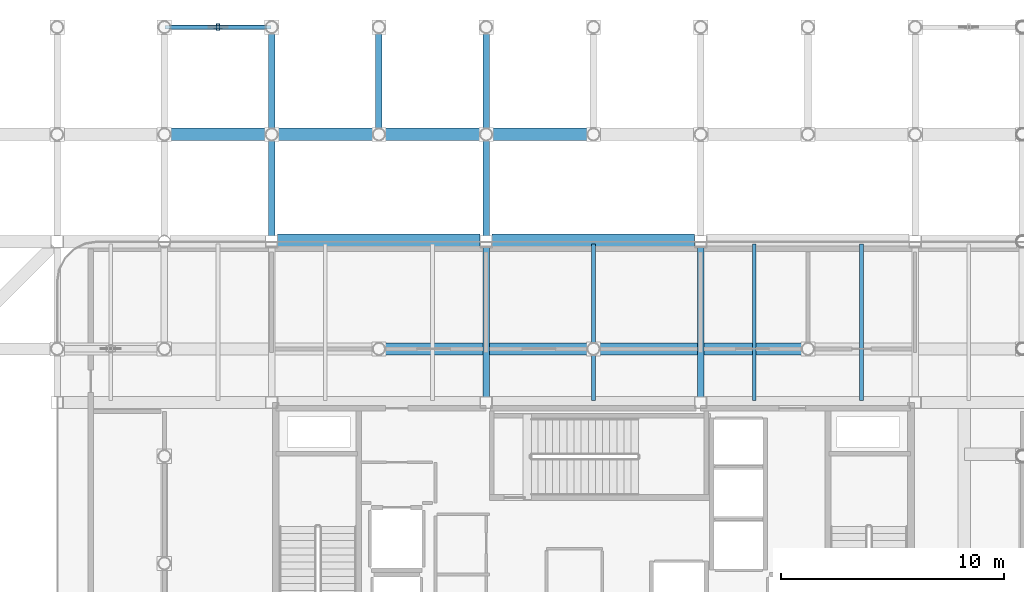
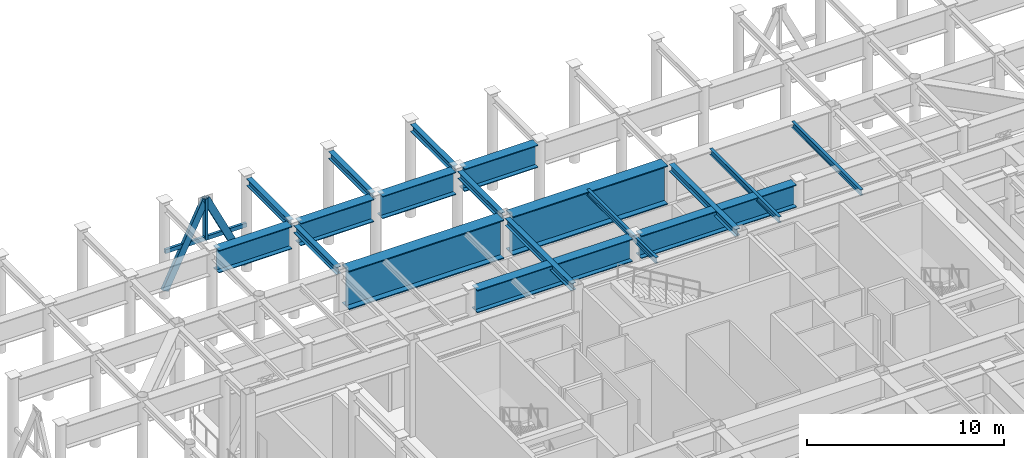
# One storey, part 9 of 20: 18 beams, 4 members.
"""IFC4 building model written with IfcOpenShell, lengths in metres."""

import ifcopenshell
import ifcopenshell.guid

model = None  # the IFC model being written
_history = None  # IfcOwnerHistory: only IFC2X3 demands one
_inside = {}  # id of a spatial element -> (the spatial element, [elements in it])
_under = {}  # id of a project, library or spatial element -> (it, [spatial elements below it])
_declared = {}  # id of a project -> (the project, [libraries it declares])
_typed = {}  # id of a type object -> (the type object, [elements of that type])
_made_of = {}  # id of a material, layer set ... -> (it, [elements and type objects made of it])


def new_model(schema):
    """Start an empty IFC model of exactly this schema.

    Asked for "IFC4X3", IfcOpenShell would pick the latest addendum, in which some entities
    have other attributes; the version numbers below select the first issue.
    IFC2X3 requires an IfcOwnerHistory on every rooted entity: one is made here for all.
    """
    global model, _history
    if schema == "IFC4X3":
        model = ifcopenshell.file(schema_version=(4, 3, 0, 0))
    else:
        model = ifcopenshell.file(schema=schema)
    _inside.clear()
    _under.clear()
    _declared.clear()
    _typed.clear()
    _made_of.clear()
    _history = None
    if model.schema == "IFC2X3":
        org = make("IfcOrganization", Name="unknown")
        user = make(
            "IfcPersonAndOrganization",
            ThePerson=make("IfcPerson", FamilyName="unknown"),
            TheOrganization=org,
        )
        app = make(
            "IfcApplication",
            ApplicationDeveloper=org,
            Version="unknown",
            ApplicationFullName="unknown",
            ApplicationIdentifier="unknown",
        )
        _history = make(
            "IfcOwnerHistory",
            OwningUser=user,
            OwningApplication=app,
            ChangeAction="ADDED",
            CreationDate=0,
        )
    return model


def make(cls, **values):
    """One entity of the class cls with the attributes given. An attribute that is None is left unset."""
    return model.create_entity(
        cls, **{name: value for name, value in values.items() if value is not None}
    )


def rooted(cls, **values):
    """An entity with a GlobalId (a new one), such as an element, a storey or a relation."""
    return make(cls, GlobalId=ifcopenshell.guid.new(), OwnerHistory=_history, **values)


def si_unit(unit_type, name, prefix=None):
    """IfcSIUnit, for example si_unit("LENGTHUNIT", "METRE", prefix="MILLI")."""
    return make("IfcSIUnit", UnitType=unit_type, Prefix=prefix, Name=name)


def assignment(units):
    """IfcUnitAssignment: the units of a project."""
    return None if units is None else make("IfcUnitAssignment", Units=units)


def point(xyz):
    """IfcCartesianPoint."""
    return None if xyz is None else make("IfcCartesianPoint", Coordinates=xyz)


def direction(xyz):
    """IfcDirection."""
    return None if xyz is None else make("IfcDirection", DirectionRatios=xyz)


def frame(location, z_axis=None, x_axis=None):
    """IfcAxis2Placement3D, a coordinate frame: its origin and axes. An axis left out is left unset."""
    return make(
        "IfcAxis2Placement3D",
        Location=point(location),
        Axis=direction(z_axis),
        RefDirection=direction(x_axis),
    )


def frame_2d(location, x_axis=None):
    """IfcAxis2Placement2D, a coordinate frame in the plane: its origin and x axis."""
    return make(
        "IfcAxis2Placement2D", Location=point(location), RefDirection=direction(x_axis)
    )


def origin():
    """The frame at (0, 0, 0) with its axes left unset."""
    return frame((0.0, 0.0, 0.0))


def origin_2d():
    """The frame at (0, 0) in the plane with its x axis left unset."""
    return frame_2d((0.0, 0.0))


def place(relative_to, where):
    """IfcLocalPlacement: puts the frame where relative to a parent placement (None: the world)."""
    return make(
        "IfcLocalPlacement", PlacementRelTo=relative_to, RelativePlacement=where
    )


def context(
    kind, dimensions, precision=None, world=None, true_north=None, identifier=None
):
    """IfcGeometricRepresentationContext, for example the 3D "Model" context."""
    return make(
        "IfcGeometricRepresentationContext",
        ContextIdentifier=identifier,
        ContextType=kind,
        CoordinateSpaceDimension=dimensions,
        Precision=precision,
        WorldCoordinateSystem=world,
        TrueNorth=true_north,
    )


def subcontext(parent, identifier, kind, view, scale=None):
    """IfcGeometricRepresentationSubContext, for example "Body" below "Model"."""
    return make(
        "IfcGeometricRepresentationSubContext",
        ContextIdentifier=identifier,
        ContextType=kind,
        ParentContext=parent,
        TargetScale=scale,
        TargetView=view,
    )


def project(units=None, contexts=None):
    """IfcProject with its units and contexts."""
    return rooted(
        "IfcProject",
        Name="project",
        RepresentationContexts=contexts,
        UnitsInContext=assignment(units),
    )


def spatial(cls, under=None, at=None, **own):
    """A site, building, storey or space (cls), placed at a placement, below another one or the project."""
    s = rooted(cls, ObjectPlacement=at, **own)
    if under is not None:
        _under.setdefault(under.id(), (under, []))[1].append(s)
    return s


def profile(cls, at=None, kind="AREA", **sizes):
    """A parametric profile (cls). Its sizes go by their IFC names, for example OverallWidth=200.0."""
    return make(cls, ProfileType=kind, Position=at, **sizes)


def hollow_rectangle(**sizes):
    """IfcRectangleHollowProfileDef."""
    return profile("IfcRectangleHollowProfileDef", **sizes)


def i_section(**sizes):
    """IfcIShapeProfileDef."""
    return profile("IfcIShapeProfileDef", **sizes)


def extrude(swept, where, along, depth):
    """IfcExtrudedAreaSolid: the profile swept, set in the frame where, extruded along a direction by depth."""
    return make(
        "IfcExtrudedAreaSolid",
        SweptArea=swept,
        Position=where,
        ExtrudedDirection=direction(along),
        Depth=depth,
    )


def shape(context_of_items, identifier, shape_type, items):
    """IfcShapeRepresentation: the items that make up one representation, for example the "Body"."""
    return make(
        "IfcShapeRepresentation",
        ContextOfItems=context_of_items,
        RepresentationIdentifier=identifier,
        RepresentationType=shape_type,
        Items=items,
    )


def material(Name=None, Category=None):
    """IfcMaterial."""
    return make("IfcMaterial", Name=Name, Category=Category)


def material_profile(
    of_material, cross_section, Name=None, Category=None, Priority=None
):
    """IfcMaterialProfile: a cross section and its material."""
    return make(
        "IfcMaterialProfile",
        Name=Name,
        Material=of_material,
        Profile=cross_section,
        Priority=Priority,
        Category=Category,
    )


def profile_set(profiles, Name=None, composite=None):
    """IfcMaterialProfileSet."""
    return make(
        "IfcMaterialProfileSet",
        Name=Name,
        MaterialProfiles=profiles,
        CompositeProfile=composite,
    )


def made_of(thing, what):
    """Note that an element or type object is made of a material, layer set ...; save() writes the relation."""
    if what is not None:
        _made_of.setdefault(what.id(), (what, []))[1].append(thing)
    return thing


def type_object(cls, material=None, **own):
    """A type object (cls), such as IfcWallType, which elements share."""
    return made_of(rooted(cls, **own), material)


def element(
    cls,
    number,
    at=None,
    inside=None,
    cuts=None,
    type_object=None,
    material=None,
    context=None,
    identifier="Body",
    shape_type=None,
    held_by="IfcProductDefinitionShape",
    body=None,
    shapes=None,
    **own,
):
    """One element of the class cls, such as IfcWall. Its Tag is "e" and its number.

    at: its placement. inside: the storey or other place that contains it. cuts: it is an
    opening in that element (IfcRelVoidsElement). A single representation is given by context,
    identifier, shape_type and body (its items); several are given by shapes. held_by: the class
    of the entity that holds the representations. save() writes the other relations.
    """
    e = rooted(cls, Tag="e%d" % number, ObjectPlacement=at, **own)
    if body is not None:
        shapes = [shape(context, identifier, shape_type, body)]
    if shapes is not None:
        e.Representation = make(held_by, Representations=shapes)
    if inside is not None:
        _inside.setdefault(inside.id(), (inside, []))[1].append(e)
    if cuts is not None:
        rooted(
            "IfcRelVoidsElement", RelatingBuildingElement=cuts, RelatedOpeningElement=e
        )
    if type_object is not None:
        _typed.setdefault(type_object.id(), (type_object, []))[1].append(e)
    return made_of(e, material)


def aggregate(whole, parts):
    """IfcRelAggregates: a whole, such as a stair, and the parts it consists of."""
    return rooted("IfcRelAggregates", RelatingObject=whole, RelatedObjects=parts)


def save(model, path):
    """Write the relations noted so far, then the file.

    IfcRelAggregates (storeys below a building ...), IfcRelContainedInSpatialStructure (elements
    in a storey), IfcRelDefinesByType, IfcRelAssociatesMaterial and IfcRelDeclares: one each for
    every whole, place, type object, material and project.
    """
    for whole, parts in _under.values():
        aggregate(whole, parts)
    for where, things in _inside.values():
        rooted(
            "IfcRelContainedInSpatialStructure",
            RelatedElements=things,
            RelatingStructure=where,
        )
    for kind, things in _typed.values():
        rooted("IfcRelDefinesByType", RelatedObjects=things, RelatingType=kind)
    for what, things in _made_of.values():
        rooted("IfcRelAssociatesMaterial", RelatedObjects=things, RelatingMaterial=what)
    for by, libraries in _declared.values():
        rooted("IfcRelDeclares", RelatingContext=by, RelatedDefinitions=libraries)
    model.write(path)


model = new_model("IFC4")

# Units and contexts
model_context = context("Model", 3, precision=1e-05, world=origin(), true_north=direction((0.0, 1.0)))
body_context = subcontext(model_context, "Body", "Model", "MODEL_VIEW")
ifc_project = project(units=[si_unit("LENGTHUNIT", "METRE"), si_unit("AREAUNIT", "SQUARE_METRE"), si_unit("VOLUMEUNIT", "CUBIC_METRE"), si_unit("PLANEANGLEUNIT", "RADIAN"), si_unit("MASSUNIT", "GRAM", prefix="KILO")], contexts=[model_context])

# Site, building, storey
site_placement = place(None, origin())
site = spatial("IfcSite", under=ifc_project, at=site_placement, CompositionType="ELEMENT")
building_placement = place(site_placement, origin())
building = spatial("IfcBuilding", under=site, at=building_placement, Name="Kallvorn Hotel Tower", CompositionType="ELEMENT")
storey_placement = place(building_placement, frame((0.0, 0.0, 276.199951171875)))
storey = spatial("IfcBuildingStorey", under=building, at=storey_placement, Name="L69", CompositionType="ELEMENT", Elevation=276.199951171875)

# Beams
ifc_material_1 = material(Name="Structural steel S355JR", Category="steel")
ifc_material_profile_1 = material_profile(ifc_material_1, i_section(OverallWidth=0.300048828125, OverallDepth=0.43994140625, WebThickness=0.011474609375, FlangeThickness=0.02099609375, at=origin_2d()), Name="HE 450 A")
ifc_profile_set_1 = profile_set([ifc_material_profile_1], Name="Structural steel S355JR")
beam_type_1 = type_object("IfcBeamType", Name="BM_HE450A", PredefinedType="BEAM", material=ifc_profile_set_1)
beam_1_placement = place(storey_placement, frame((-14.39990234375, 14.64990234375, 5.580078125), z_axis=(0.0, 1.0, 0.0), x_axis=(-1.0, 0.0, 0.0)))
element("IfcBeam", 1, at=beam_1_placement, inside=storey, type_object=beam_type_1, Name="L70 Primary Y-Girder 117", PredefinedType="BEAM", context=body_context, shape_type="SweptSolid", body=[
    extrude(i_section(OverallWidth=0.300048828125, OverallDepth=0.43994140625, WebThickness=0.011474609375, FlangeThickness=0.02099609375, at=origin_2d()), origin(), (0.0, 0.0, 1.0), 4.295654296875),
])
for number, where, z_axis, x_axis, name in (
    (2, (-14.39990234375, 19.45458984375, 5.580078125), (0.0, 1.0, 0.0), (-1.0, 0.0, 0.0), "L70 Primary Y-Girder 118"),
    (3, (-9.60009765625, 19.45458984375, 5.580078125), (0.0, 1.0, 0.0), (-1.0, 0.0, 0.0), "L70 Primary Y-Girder 121"),
):
    element("IfcBeam", number, at=place(storey_placement, frame(where, z_axis=z_axis, x_axis=x_axis)), inside=storey, type_object=beam_type_1, Name=name, PredefinedType="BEAM", context=body_context, shape_type="SweptSolid", body=[
        extrude(i_section(OverallWidth=0.300048828125, OverallDepth=0.43994140625, WebThickness=0.011474609375, FlangeThickness=0.02099609375, at=origin_2d()), origin(), (0.0, 0.0, 1.0), 4.291015625),
    ])
beam_2_placement = place(storey_placement, frame((-4.800048828125, 7.449951171875, 5.580078125), z_axis=(0.0, 1.0, 0.0), x_axis=(-1.0, 0.0, 0.0)))
element("IfcBeam", 4, at=beam_2_placement, inside=storey, type_object=beam_type_1, Name="L70 Primary Y-Girder 124", PredefinedType="BEAM", context=body_context, shape_type="SweptSolid", body=[
    extrude(i_section(OverallWidth=0.300048828125, OverallDepth=0.43994140625, WebThickness=0.011474609375, FlangeThickness=0.02099609375, at=origin_2d()), origin(), (0.0, 0.0, 1.0), 6.699951171875),
])
beam_3_placement = place(storey_placement, frame((-4.800048828125, 14.64990234375, 5.580078125), z_axis=(0.0, 1.0, 0.0), x_axis=(-1.0, 0.0, 0.0)))
element("IfcBeam", 5, at=beam_3_placement, inside=storey, type_object=beam_type_1, Name="L70 Primary Y-Girder 125", PredefinedType="BEAM", context=body_context, shape_type="SweptSolid", body=[
    extrude(i_section(OverallWidth=0.300048828125, OverallDepth=0.43994140625, WebThickness=0.011474609375, FlangeThickness=0.02099609375, at=origin_2d()), origin(), (0.0, 0.0, 1.0), 4.295654296875),
])
beam_4_placement = place(storey_placement, frame((-4.800048828125, 19.45458984375, 5.580078125), z_axis=(0.0, 1.0, 0.0), x_axis=(-1.0, 0.0, 0.0)))
element("IfcBeam", 6, at=beam_4_placement, inside=storey, type_object=beam_type_1, Name="L70 Primary Y-Girder 126", PredefinedType="BEAM", context=body_context, shape_type="SweptSolid", body=[
    extrude(i_section(OverallWidth=0.300048828125, OverallDepth=0.43994140625, WebThickness=0.011474609375, FlangeThickness=0.02099609375, at=origin_2d()), origin(), (0.0, 0.0, 1.0), 4.291015625),
])
beam_5_placement = place(storey_placement, frame((4.800048828125, 7.449951171875, 5.580078125), z_axis=(0.0, 1.0, 0.0), x_axis=(-1.0, 0.0, 0.0)))
element("IfcBeam", 7, at=beam_5_placement, inside=storey, type_object=beam_type_1, Name="L70 Primary Y-Girder 132", PredefinedType="BEAM", context=body_context, shape_type="SweptSolid", body=[
    extrude(i_section(OverallWidth=0.300048828125, OverallDepth=0.43994140625, WebThickness=0.011474609375, FlangeThickness=0.02099609375, at=origin_2d()), origin(), (0.0, 0.0, 1.0), 6.699951171875),
])
ifc_material_2 = material(Name="Structural steel S355JR", Category="steel")
ifc_material_profile_2 = material_profile(ifc_material_2, i_section(OverallWidth=0.169921875, OverallDepth=0.360107421875, WebThickness=0.008056640625, FlangeThickness=0.0126953125, at=origin_2d()), Name="IPE 360")
ifc_profile_set_2 = profile_set([ifc_material_profile_2], Name="Structural steel S355JR")
beam_type_2 = type_object("IfcBeamType", Name="BM_IPE360", PredefinedType="JOIST", material=ifc_profile_set_2)
for number, where, z_axis, x_axis, name in (
    (8, (0.0, 7.300048828125, 5.6201171875), (0.0, 1.0, 0.0), (-1.0, 0.0, 0.0), "L70 Secondary Composite Joist 212"),
    (9, (7.199951171875, 7.300048828125, 5.6201171875), (0.0, 1.0, 0.0), (-1.0, 0.0, 0.0), "L70 Secondary Composite Joist 214"),
    (10, (12.0, 7.300048828125, 5.6201171875), (0.0, 1.0, 0.0), (-1.0, 0.0, 0.0), "L70 Secondary Composite Joist 216"),
):
    element("IfcBeam", number, at=place(storey_placement, frame(where, z_axis=z_axis, x_axis=x_axis)), inside=storey, type_object=beam_type_2, Name=name, PredefinedType="JOIST", context=body_context, shape_type="SweptSolid", body=[
        extrude(i_section(OverallWidth=0.169921875, OverallDepth=0.360107421875, WebThickness=0.008056640625, FlangeThickness=0.0126953125, at=origin_2d()), origin(), (0.0, 0.0, 1.0), 7.0),
    ])
ifc_material_3 = material(Name="Structural steel S355JR", Category="steel")
ifc_material_profile_3 = material_profile(ifc_material_3, i_section(OverallWidth=0.550048828125, OverallDepth=1.39990234375, WebThickness=0.02490234375, FlangeThickness=0.044921875, at=origin_2d()), Name="PG 1400x550x25x45")
ifc_profile_set_3 = profile_set([ifc_material_profile_3], Name="Structural steel S355JR")
beam_type_3 = type_object("IfcBeamType", Name="BM_PG_1400", PredefinedType="BEAM", material=ifc_profile_set_3)
for number, where, z_axis, x_axis, name in (
    (11, (-9.345458984375, 9.60009765625, 5.10009765625), (1.0, 0.0, 0.0), (0.0, 1.0, 0.0), "L70 Primary X-Girder 61"),
    (12, (0.25439453125, 9.60009765625, 5.10009765625), (1.0, 0.0, 0.0), (0.0, 1.0, 0.0), "L70 Primary X-Girder 62"),
):
    element("IfcBeam", number, at=place(storey_placement, frame(where, z_axis=z_axis, x_axis=x_axis)), inside=storey, type_object=beam_type_3, Name=name, PredefinedType="BEAM", context=body_context, shape_type="SweptSolid", body=[
        extrude(i_section(OverallWidth=0.550048828125, OverallDepth=1.39990234375, WebThickness=0.02490234375, FlangeThickness=0.044921875, at=origin_2d()), origin(), (0.0, 0.0, 1.0), 9.091064453125),
    ])
for number, where, z_axis, x_axis, name in (
    (13, (-18.945556640625, 19.199951171875, 5.10009765625), (1.0, 0.0, 0.0), (0.0, 1.0, 0.0), "L70 Primary X-Girder 79"),
    (14, (-14.1455078125, 19.199951171875, 5.10009765625), (1.0, 0.0, 0.0), (0.0, 1.0, 0.0), "L70 Primary X-Girder 80"),
    (15, (-9.345458984375, 19.199951171875, 5.10009765625), (1.0, 0.0, 0.0), (0.0, 1.0, 0.0), "L70 Primary X-Girder 81"),
    (16, (-4.54541015625, 19.199951171875, 5.10009765625), (1.0, 0.0, 0.0), (0.0, 1.0, 0.0), "L70 Primary X-Girder 82"),
):
    element("IfcBeam", number, at=place(storey_placement, frame(where, z_axis=z_axis, x_axis=x_axis)), inside=storey, type_object=beam_type_3, Name=name, PredefinedType="BEAM", context=body_context, shape_type="SweptSolid", body=[
        extrude(i_section(OverallWidth=0.550048828125, OverallDepth=1.39990234375, WebThickness=0.02490234375, FlangeThickness=0.044921875, at=origin_2d()), origin(), (0.0, 0.0, 1.0), 4.291015625),
    ])
ifc_material_4 = material(Name="Structural steel S355JR", Category="steel")
ifc_material_profile_4 = material_profile(ifc_material_4, i_section(OverallWidth=0.699951171875, OverallDepth=2.39990234375, WebThickness=0.031982421875, FlangeThickness=0.06005859375, at=origin_2d()), Name="PG 2400x700x32x60")
ifc_profile_set_4 = profile_set([ifc_material_profile_4], Name="Structural steel S355JR")
beam_type_4 = type_object("IfcBeamType", Name="BM_PG_2400", PredefinedType="BEAM", material=ifc_profile_set_4)
beam_6_placement = place(storey_placement, frame((-14.135009765625, 14.39990234375, 4.60009765625), z_axis=(1.0, 0.0, 0.0), x_axis=(0.0, 1.0, 0.0)))
element("IfcBeam", 17, at=beam_6_placement, inside=storey, type_object=beam_type_4, Name="L70 Setback Transfer Girder 05", PredefinedType="BEAM", context=body_context, shape_type="SweptSolid", body=[
    extrude(i_section(OverallWidth=0.699951171875, OverallDepth=2.39990234375, WebThickness=0.031982421875, FlangeThickness=0.06005859375, at=origin_2d()), origin(), (0.0, 0.0, 1.0), 9.070068359375),
])
beam_7_placement = place(storey_placement, frame((-4.534912109375, 14.39990234375, 4.60009765625), z_axis=(1.0, 0.0, 0.0), x_axis=(0.0, 1.0, 0.0)))
element("IfcBeam", 18, at=beam_7_placement, inside=storey, type_object=beam_type_4, Name="L70 Setback Transfer Girder 08", PredefinedType="BEAM", context=body_context, shape_type="SweptSolid", body=[
    extrude(i_section(OverallWidth=0.699951171875, OverallDepth=2.39990234375, WebThickness=0.031982421875, FlangeThickness=0.06005859375, at=origin_2d()), origin(), (0.0, 0.0, 1.0), 9.06982421875),
])

# Members
ifc_material_5 = material(Name="Structural steel S355J2H", Category="steel")
ifc_material_profile_5 = material_profile(ifc_material_5, hollow_rectangle(XDim=0.199951171875, YDim=0.39990234375, WallThickness=0.02001953125, at=origin_2d()), Name="RHS 400x200x20")
ifc_profile_set_5 = profile_set([ifc_material_profile_5], Name="Structural steel S355J2H")
member_type_1 = type_object("IfcMemberType", Name="MBR_BELT_RHS400", PredefinedType="BRACE", material=ifc_profile_set_5)
for number, where, z_axis, x_axis, name in (
    (19, (-19.191162109375, 24.0, 0.3681640625), (0.440591160242, 0.0, 0.897707875378), (0.0, 1.0, 0.0), "L69 Belt Truss Diagonal 3A"),
    (20, (-14.40869140625, 24.0, 0.3681640625), (-0.440627546055, 0.0, 0.897690016463), (0.0, -1.0, 0.0), "L69 Belt Truss Diagonal 3B"),
):
    element("IfcMember", number, at=place(storey_placement, frame(where, z_axis=z_axis, x_axis=x_axis)), inside=storey, type_object=member_type_1, Name=name, PredefinedType="BRACE", context=body_context, shape_type="SweptSolid", body=[
        extrude(hollow_rectangle(XDim=0.199951171875, YDim=0.39990234375, WallThickness=0.02001953125, at=origin_2d()), origin(), (0.0, 0.0, 1.0), 5.4072265625),
    ])
ifc_material_6 = material(Name="Structural steel S355J2H", Category="steel")
ifc_material_profile_6 = material_profile(ifc_material_6, hollow_rectangle(XDim=0.14990234375, YDim=0.25, WallThickness=0.010009765625, at=origin_2d()), Name="RHS 250x150x10")
ifc_profile_set_6 = profile_set([ifc_material_profile_6], Name="Structural steel S355J2H")
member_type_2 = type_object("IfcMemberType", Name="MBR_COLLAR_RHS250", PredefinedType="COLLAR", material=ifc_profile_set_6)
member_1_placement = place(storey_placement, frame((-19.179931640625, 24.0, 2.775146484375), z_axis=(1.0, 0.0, 0.0), x_axis=(0.0, 1.0, 0.0)))
element("IfcMember", 21, at=member_1_placement, inside=storey, type_object=member_type_2, Name="L69 Belt Truss Tie Collar 3", PredefinedType="COLLAR", context=body_context, shape_type="SweptSolid", body=[
    extrude(hollow_rectangle(XDim=0.14990234375, YDim=0.25, WallThickness=0.010009765625, at=origin_2d()), origin(), (0.0, 0.0, 1.0), 4.760009765625),
])
ifc_material_7 = material(Name="Structural steel S355J2H", Category="steel")
ifc_material_profile_7 = material_profile(ifc_material_7, hollow_rectangle(XDim=0.14990234375, YDim=0.300048828125, WallThickness=0.012451171875, at=origin_2d()), Name="RHS 300x150x12.5")
ifc_profile_set_7 = profile_set([ifc_material_profile_7], Name="Structural steel S355J2H")
member_type_3 = type_object("IfcMemberType", Name="MBR_STRUT_RHS300", PredefinedType="STRUT", material=ifc_profile_set_7)
member_2_placement = place(storey_placement, frame((-16.800048828125, 24.0, 2.72509765625), z_axis=(0.0, 0.0, 1.0), x_axis=(1.0, 0.0, 0.0)))
element("IfcMember", 22, at=member_2_placement, inside=storey, type_object=member_type_3, Name="L69 Belt Truss Strut 3", PredefinedType="STRUT", context=body_context, shape_type="SweptSolid", body=[
    extrude(hollow_rectangle(XDim=0.14990234375, YDim=0.300048828125, WallThickness=0.012451171875, at=origin_2d()), origin(), (0.0, 0.0, 1.0), 2.554931640625),
])

save(model, "model.ifc")
